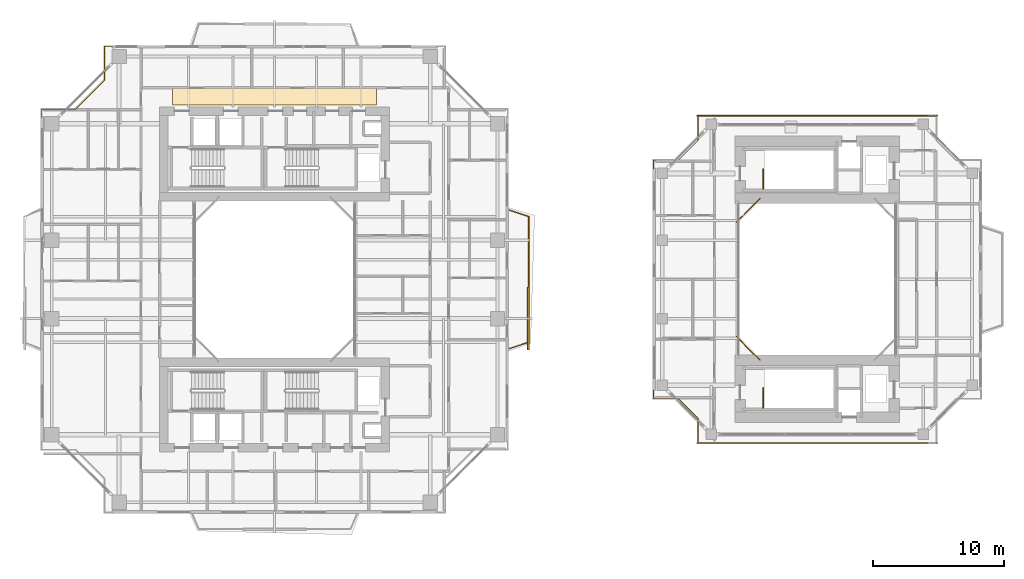
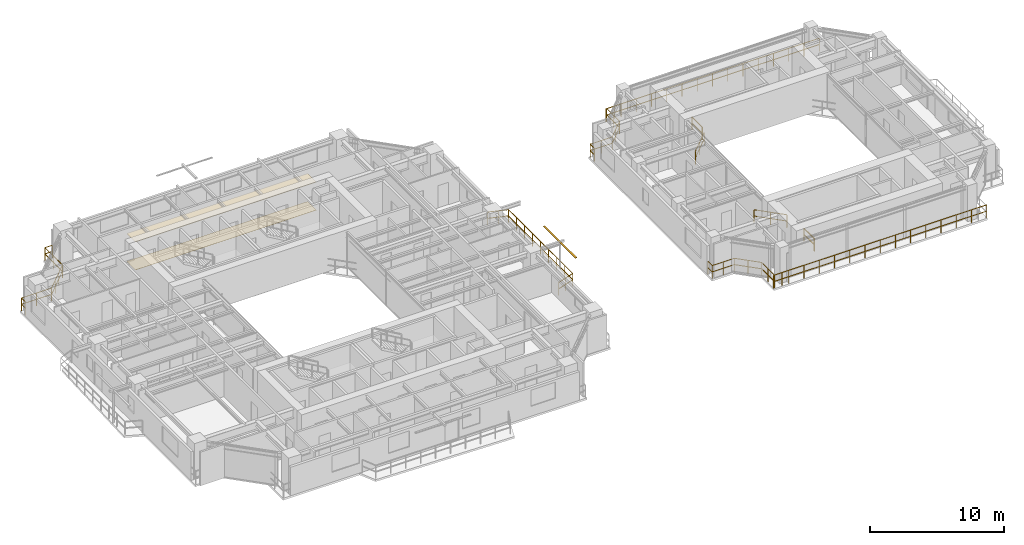
# One storey, part 23 of 24: 10 railings, 2 coverings, 1 shading device.
"""IFC4 building model written with IfcOpenShell, lengths in metres."""

import ifcopenshell
import ifcopenshell.guid

model = None  # the IFC model being written
_history = None  # IfcOwnerHistory: only IFC2X3 demands one
_inside = {}  # id of a spatial element -> (the spatial element, [elements in it])
_under = {}  # id of a project, library or spatial element -> (it, [spatial elements below it])
_declared = {}  # id of a project -> (the project, [libraries it declares])
_typed = {}  # id of a type object -> (the type object, [elements of that type])
_made_of = {}  # id of a material, layer set ... -> (it, [elements and type objects made of it])


def new_model(schema):
    """Start an empty IFC model of exactly this schema.

    Asked for "IFC4X3", IfcOpenShell would pick the latest addendum, in which some entities
    have other attributes; the version numbers below select the first issue.
    IFC2X3 requires an IfcOwnerHistory on every rooted entity: one is made here for all.
    """
    global model, _history
    if schema == "IFC4X3":
        model = ifcopenshell.file(schema_version=(4, 3, 0, 0))
    else:
        model = ifcopenshell.file(schema=schema)
    _inside.clear()
    _under.clear()
    _declared.clear()
    _typed.clear()
    _made_of.clear()
    _history = None
    if model.schema == "IFC2X3":
        org = make("IfcOrganization", Name="unknown")
        user = make(
            "IfcPersonAndOrganization",
            ThePerson=make("IfcPerson", FamilyName="unknown"),
            TheOrganization=org,
        )
        app = make(
            "IfcApplication",
            ApplicationDeveloper=org,
            Version="unknown",
            ApplicationFullName="unknown",
            ApplicationIdentifier="unknown",
        )
        _history = make(
            "IfcOwnerHistory",
            OwningUser=user,
            OwningApplication=app,
            ChangeAction="ADDED",
            CreationDate=0,
        )
    return model


def make(cls, **values):
    """One entity of the class cls with the attributes given. An attribute that is None is left unset."""
    return model.create_entity(
        cls, **{name: value for name, value in values.items() if value is not None}
    )


def rooted(cls, **values):
    """An entity with a GlobalId (a new one), such as an element, a storey or a relation."""
    return make(cls, GlobalId=ifcopenshell.guid.new(), OwnerHistory=_history, **values)


def si_unit(unit_type, name, prefix=None):
    """IfcSIUnit, for example si_unit("LENGTHUNIT", "METRE", prefix="MILLI")."""
    return make("IfcSIUnit", UnitType=unit_type, Prefix=prefix, Name=name)


def assignment(units):
    """IfcUnitAssignment: the units of a project."""
    return None if units is None else make("IfcUnitAssignment", Units=units)


def point(xyz):
    """IfcCartesianPoint."""
    return None if xyz is None else make("IfcCartesianPoint", Coordinates=xyz)


def direction(xyz):
    """IfcDirection."""
    return None if xyz is None else make("IfcDirection", DirectionRatios=xyz)


def frame(location, z_axis=None, x_axis=None):
    """IfcAxis2Placement3D, a coordinate frame: its origin and axes. An axis left out is left unset."""
    return make(
        "IfcAxis2Placement3D",
        Location=point(location),
        Axis=direction(z_axis),
        RefDirection=direction(x_axis),
    )


def frame_2d(location, x_axis=None):
    """IfcAxis2Placement2D, a coordinate frame in the plane: its origin and x axis."""
    return make(
        "IfcAxis2Placement2D", Location=point(location), RefDirection=direction(x_axis)
    )


def origin():
    """The frame at (0, 0, 0) with its axes left unset."""
    return frame((0.0, 0.0, 0.0))


def origin_2d():
    """The frame at (0, 0) in the plane with its x axis left unset."""
    return frame_2d((0.0, 0.0))


def place(relative_to, where):
    """IfcLocalPlacement: puts the frame where relative to a parent placement (None: the world)."""
    return make(
        "IfcLocalPlacement", PlacementRelTo=relative_to, RelativePlacement=where
    )


def context(
    kind, dimensions, precision=None, world=None, true_north=None, identifier=None
):
    """IfcGeometricRepresentationContext, for example the 3D "Model" context."""
    return make(
        "IfcGeometricRepresentationContext",
        ContextIdentifier=identifier,
        ContextType=kind,
        CoordinateSpaceDimension=dimensions,
        Precision=precision,
        WorldCoordinateSystem=world,
        TrueNorth=true_north,
    )


def subcontext(parent, identifier, kind, view, scale=None):
    """IfcGeometricRepresentationSubContext, for example "Body" below "Model"."""
    return make(
        "IfcGeometricRepresentationSubContext",
        ContextIdentifier=identifier,
        ContextType=kind,
        ParentContext=parent,
        TargetScale=scale,
        TargetView=view,
    )


def project(units=None, contexts=None):
    """IfcProject with its units and contexts."""
    return rooted(
        "IfcProject",
        Name="project",
        RepresentationContexts=contexts,
        UnitsInContext=assignment(units),
    )


def spatial(cls, under=None, at=None, **own):
    """A site, building, storey or space (cls), placed at a placement, below another one or the project."""
    s = rooted(cls, ObjectPlacement=at, **own)
    if under is not None:
        _under.setdefault(under.id(), (under, []))[1].append(s)
    return s


def polyline(points):
    """IfcPolyline through the points."""
    return make("IfcPolyline", Points=[point(p) for p in points])


def profile(cls, at=None, kind="AREA", **sizes):
    """A parametric profile (cls). Its sizes go by their IFC names, for example OverallWidth=200.0."""
    return make(cls, ProfileType=kind, Position=at, **sizes)


def rectangle(**sizes):
    """IfcRectangleProfileDef."""
    return profile("IfcRectangleProfileDef", **sizes)


def outline(outer, holes=None, kind="AREA"):
    """IfcArbitraryClosedProfileDef: a profile drawn as a closed curve; with holes, ...WithVoids."""
    if holes is None:
        return make("IfcArbitraryClosedProfileDef", ProfileType=kind, OuterCurve=outer)
    return make(
        "IfcArbitraryProfileDefWithVoids",
        ProfileType=kind,
        OuterCurve=outer,
        InnerCurves=holes,
    )


def extrude(swept, where, along, depth):
    """IfcExtrudedAreaSolid: the profile swept, set in the frame where, extruded along a direction by depth."""
    return make(
        "IfcExtrudedAreaSolid",
        SweptArea=swept,
        Position=where,
        ExtrudedDirection=direction(along),
        Depth=depth,
    )


def shape(context_of_items, identifier, shape_type, items):
    """IfcShapeRepresentation: the items that make up one representation, for example the "Body"."""
    return make(
        "IfcShapeRepresentation",
        ContextOfItems=context_of_items,
        RepresentationIdentifier=identifier,
        RepresentationType=shape_type,
        Items=items,
    )


def source(mapping_origin, context_of_items, identifier, shape_type, items):
    """IfcRepresentationMap: a shape defined once, which mapped items show again and again."""
    return make(
        "IfcRepresentationMap",
        MappingOrigin=mapping_origin,
        MappedRepresentation=shape(context_of_items, identifier, shape_type, items),
    )


def transform(
    local_origin,
    x_axis=None,
    y_axis=None,
    z_axis=None,
    scale=None,
    scale2=None,
    scale3=None,
    uniform=True,
):
    """IfcCartesianTransformationOperator3D, or its non-uniform kind. x_axis, y_axis, z_axis: its Axis1, 2, 3."""
    if uniform:
        return make(
            "IfcCartesianTransformationOperator3D",
            Axis1=direction(x_axis),
            Axis2=direction(y_axis),
            LocalOrigin=point(local_origin),
            Scale=scale,
            Axis3=direction(z_axis),
        )
    return make(
        "IfcCartesianTransformationOperator3DnonUniform",
        Axis1=direction(x_axis),
        Axis2=direction(y_axis),
        LocalOrigin=point(local_origin),
        Scale=scale,
        Axis3=direction(z_axis),
        Scale2=scale2,
        Scale3=scale3,
    )


def mapped(mapping_source, mapping_target):
    """IfcMappedItem: shows the shape of a source again, moved by a transform."""
    return make(
        "IfcMappedItem", MappingSource=mapping_source, MappingTarget=mapping_target
    )


def material(Name=None, Category=None):
    """IfcMaterial."""
    return make("IfcMaterial", Name=Name, Category=Category)


def layer(
    of_material, thickness, ventilated=None, Name=None, Category=None, Priority=None
):
    """IfcMaterialLayer: one layer of a wall or slab, of a material (None: an air gap)."""
    return make(
        "IfcMaterialLayer",
        Material=of_material,
        LayerThickness=thickness,
        IsVentilated=ventilated,
        Name=Name,
        Category=Category,
        Priority=Priority,
    )


def layer_set(layers, Name=None):
    """IfcMaterialLayerSet."""
    return make("IfcMaterialLayerSet", MaterialLayers=layers, LayerSetName=Name)


def material_profile(
    of_material, cross_section, Name=None, Category=None, Priority=None
):
    """IfcMaterialProfile: a cross section and its material."""
    return make(
        "IfcMaterialProfile",
        Name=Name,
        Material=of_material,
        Profile=cross_section,
        Priority=Priority,
        Category=Category,
    )


def profile_set(profiles, Name=None, composite=None):
    """IfcMaterialProfileSet."""
    return make(
        "IfcMaterialProfileSet",
        Name=Name,
        MaterialProfiles=profiles,
        CompositeProfile=composite,
    )


def made_of(thing, what):
    """Note that an element or type object is made of a material, layer set ...; save() writes the relation."""
    if what is not None:
        _made_of.setdefault(what.id(), (what, []))[1].append(thing)
    return thing


def type_object(cls, material=None, **own):
    """A type object (cls), such as IfcWallType, which elements share."""
    return made_of(rooted(cls, **own), material)


def element(
    cls,
    number,
    at=None,
    inside=None,
    cuts=None,
    type_object=None,
    material=None,
    context=None,
    identifier="Body",
    shape_type=None,
    held_by="IfcProductDefinitionShape",
    body=None,
    shapes=None,
    **own,
):
    """One element of the class cls, such as IfcWall. Its Tag is "e" and its number.

    at: its placement. inside: the storey or other place that contains it. cuts: it is an
    opening in that element (IfcRelVoidsElement). A single representation is given by context,
    identifier, shape_type and body (its items); several are given by shapes. held_by: the class
    of the entity that holds the representations. save() writes the other relations.
    """
    e = rooted(cls, Tag="e%d" % number, ObjectPlacement=at, **own)
    if body is not None:
        shapes = [shape(context, identifier, shape_type, body)]
    if shapes is not None:
        e.Representation = make(held_by, Representations=shapes)
    if inside is not None:
        _inside.setdefault(inside.id(), (inside, []))[1].append(e)
    if cuts is not None:
        rooted(
            "IfcRelVoidsElement", RelatingBuildingElement=cuts, RelatedOpeningElement=e
        )
    if type_object is not None:
        _typed.setdefault(type_object.id(), (type_object, []))[1].append(e)
    return made_of(e, material)


def aggregate(whole, parts):
    """IfcRelAggregates: a whole, such as a stair, and the parts it consists of."""
    return rooted("IfcRelAggregates", RelatingObject=whole, RelatedObjects=parts)


def save(model, path):
    """Write the relations noted so far, then the file.

    IfcRelAggregates (storeys below a building ...), IfcRelContainedInSpatialStructure (elements
    in a storey), IfcRelDefinesByType, IfcRelAssociatesMaterial and IfcRelDeclares: one each for
    every whole, place, type object, material and project.
    """
    for whole, parts in _under.values():
        aggregate(whole, parts)
    for where, things in _inside.values():
        rooted(
            "IfcRelContainedInSpatialStructure",
            RelatedElements=things,
            RelatingStructure=where,
        )
    for kind, things in _typed.values():
        rooted("IfcRelDefinesByType", RelatedObjects=things, RelatingType=kind)
    for what, things in _made_of.values():
        rooted("IfcRelAssociatesMaterial", RelatedObjects=things, RelatingMaterial=what)
    for by, libraries in _declared.values():
        rooted("IfcRelDeclares", RelatingContext=by, RelatedDefinitions=libraries)
    model.write(path)


model = new_model("IFC4")

# Units and contexts
model_context = context("Model", 3, precision=1e-05, world=origin(), true_north=direction((0.0, 1.0)))
body_context = subcontext(model_context, "Body", "Model", "MODEL_VIEW")
ifc_project = project(units=[si_unit("LENGTHUNIT", "METRE"), si_unit("AREAUNIT", "SQUARE_METRE"), si_unit("VOLUMEUNIT", "CUBIC_METRE"), si_unit("PLANEANGLEUNIT", "RADIAN"), si_unit("MASSUNIT", "GRAM", prefix="KILO"), si_unit("THERMODYNAMICTEMPERATUREUNIT", "KELVIN"), si_unit("POWERUNIT", "WATT")], contexts=[model_context])

# Site, building, storey
site_placement = place(None, origin())
site = spatial("IfcSite", under=ifc_project, at=site_placement, CompositionType="ELEMENT")
building_placement = place(site_placement, origin())
building = spatial("IfcBuilding", under=site, at=building_placement, Name="Qiaomeng Ring Towers", CompositionType="ELEMENT")
storey_placement = place(building_placement, frame((0.0, 0.0, 110.0)))
storey = spatial("IfcBuildingStorey", under=building, at=storey_placement, Name="L31", CompositionType="ELEMENT", Elevation=110.0)

# Coverings
ifc_material_1 = material(Name="Moisture-resistant gypsum ceiling board", Category="gypsum")
ifc_layer_1 = layer(ifc_material_1, 0.030029296875, Name="Moisture-resistant gypsum ceiling board")
ifc_layer_set_1 = layer_set([ifc_layer_1], Name="Moisture-resistant gypsum ceiling board")
covering_type_1 = type_object("IfcCoveringType", Name="ARC-COV-CEIL2", PredefinedType="CEILING", material=ifc_layer_set_1)
covering_1_placement = place(storey_placement, frame((0.0, 0.0, 2.550048828125)))
element("IfcCovering", 1, at=covering_1_placement, inside=storey, type_object=covering_type_1, Name="L31 Corridor Acoustic Ceiling", PredefinedType="CEILING", context=body_context, shape_type="SweptSolid", body=[
    extrude(outline(polyline([(11.199951171875, 36.35009765625), (11.199951171875, 37.64990234375), (26.800048828125, 37.64990234375), (26.800048828125, 36.35009765625), (11.199951171875, 36.35009765625)])), origin(), (0.0, 0.0, 1.0), 0.02490234375),
])
ifc_material_2 = material(Name="Vitrified porcelain floor tile", Category="ceramic")
ifc_layer_2 = layer(ifc_material_2, 0.02001953125, Name="Vitrified porcelain floor tile")
ifc_layer_set_2 = layer_set([ifc_layer_2], Name="Vitrified porcelain floor tile")
covering_type_2 = type_object("IfcCoveringType", Name="ARC-COV-FLR1", PredefinedType="FLOORING", material=ifc_layer_set_2)
covering_2_placement = place(storey_placement, origin())
element("IfcCovering", 2, at=covering_2_placement, inside=storey, type_object=covering_type_2, Name="L31 Corridor Stone Flooring", PredefinedType="FLOORING", context=body_context, shape_type="SweptSolid", body=[
    extrude(outline(polyline([(11.199951171875, 36.35009765625), (11.199951171875, 37.64990234375), (26.800048828125, 37.64990234375), (26.800048828125, 36.35009765625), (11.199951171875, 36.35009765625)])), origin(), (0.0, 0.0, 1.0), 0.02001953125),
])

# Railings
ifc_material_3 = material(Name="Low-E pale-green laminated safety glass", Category="glass")
railing_type_1 = type_object("IfcRailingType", Name="ARC-RL-BAL1", PredefinedType="BALUSTRADE", material=ifc_material_3)
railing_1_placement = place(storey_placement, frame((6.6298828125, 40.820068359375, 0.0)))
element("IfcRailing", 3, at=railing_1_placement, inside=storey, type_object=railing_type_1, Name="L31 Balustrade ARC-BAL-NOTCH1-L31-NW", PredefinedType="BALUSTRADE", context=body_context, shape_type="SweptSolid", body=[
    extrude(rectangle(XDim=0.048095703125, YDim=0.048095703125, at=origin_2d()), frame((0.0, 0.0, 1.17578125), z_axis=(-1.0, 0.0, 0.0), x_axis=(0.0, -1.0, 0.0)), (0.0, 0.0, 1.0), 0.64990234375),
    extrude(rectangle(XDim=0.048095703125, YDim=0.048095703125, at=origin_2d()), frame((0.0, 0.0, 0.60009765625), z_axis=(-1.0, 0.0, 0.0), x_axis=(0.0, -1.0, 0.0)), (0.0, 0.0, 1.0), 0.64990234375),
    extrude(rectangle(XDim=0.048095703125, YDim=0.048095703125, at=origin_2d()), frame((-0.64990234375, 0.0, 1.17578125), z_axis=(0.0, -1.0, 0.0), x_axis=(1.0, 0.0, 0.0)), (0.0, 0.0, 1.0), 2.60009765625),
    extrude(rectangle(XDim=0.048095703125, YDim=0.048095703125, at=origin_2d()), frame((-0.64990234375, 0.0, 0.60009765625), z_axis=(0.0, -1.0, 0.0), x_axis=(1.0, 0.0, 0.0)), (0.0, 0.0, 1.0), 2.60009765625),
    extrude(rectangle(XDim=0.048095703125, YDim=0.048095703125, at=origin_2d()), frame((-0.64990234375, -2.60009765625, 1.17578125), z_axis=(-0.707106781187, -0.707106781187, 0.0), x_axis=(0.707106781187, -0.707106781187, 0.0)), (0.0, 0.0, 1.0), 3.111083984375),
    extrude(rectangle(XDim=0.048095703125, YDim=0.048095703125, at=origin_2d()), frame((-0.64990234375, -2.60009765625, 0.60009765625), z_axis=(-0.707106781187, -0.707106781187, 0.0), x_axis=(0.707106781187, -0.707106781187, 0.0)), (0.0, 0.0, 1.0), 3.111083984375),
    extrude(rectangle(XDim=0.048095703125, YDim=0.048095703125, at=origin_2d()), frame((-2.849853515625, -4.800048828125, 1.17578125), z_axis=(-1.0, 0.0, 0.0), x_axis=(0.0, -1.0, 0.0)), (0.0, 0.0, 1.0), 2.60009765625),
    extrude(rectangle(XDim=0.048095703125, YDim=0.048095703125, at=origin_2d()), frame((-2.849853515625, -4.800048828125, 0.60009765625), z_axis=(-1.0, 0.0, 0.0), x_axis=(0.0, -1.0, 0.0)), (0.0, 0.0, 1.0), 2.60009765625),
    extrude(rectangle(XDim=0.048095703125, YDim=0.048095703125, at=origin_2d()), frame((-5.449951171875, -4.800048828125, 1.17578125), z_axis=(0.0, -1.0, 0.0), x_axis=(1.0, 0.0, 0.0)), (0.0, 0.0, 1.0), 0.64990234375),
    extrude(rectangle(XDim=0.048095703125, YDim=0.048095703125, at=origin_2d()), frame((-5.449951171875, -4.800048828125, 0.60009765625), z_axis=(0.0, -1.0, 0.0), x_axis=(1.0, 0.0, 0.0)), (0.0, 0.0, 1.0), 0.64990234375),
    extrude(rectangle(XDim=0.0419921875, YDim=0.0419921875, at=origin_2d()), origin(), (0.0, 0.0, 1.0), 1.15185546875),
    extrude(rectangle(XDim=0.0419921875, YDim=0.0419921875, at=origin_2d()), frame((-0.64990234375, 0.0, 0.0)), (0.0, 0.0, 1.0), 1.15185546875),
    extrude(rectangle(XDim=0.0419921875, YDim=0.0419921875, at=origin_2d()), frame((-0.64990234375, -1.300048828125, 0.0)), (0.0, 0.0, 1.0), 1.15185546875),
    extrude(rectangle(XDim=0.0419921875, YDim=0.0419921875, at=origin_2d()), frame((-0.64990234375, -2.60009765625, 0.0)), (0.0, 0.0, 1.0), 1.15185546875),
    extrude(rectangle(XDim=0.0419921875, YDim=0.0419921875, at=origin_2d()), frame((-1.38330078125, -3.33349609375, 0.0)), (0.0, 0.0, 1.0), 1.15185546875),
    extrude(rectangle(XDim=0.0419921875, YDim=0.0419921875, at=origin_2d()), frame((-2.116455078125, -4.066650390625, 0.0)), (0.0, 0.0, 1.0), 1.15185546875),
    extrude(rectangle(XDim=0.0419921875, YDim=0.0419921875, at=origin_2d()), frame((-2.849853515625, -4.800048828125, 0.0)), (0.0, 0.0, 1.0), 1.15185546875),
    extrude(rectangle(XDim=0.0419921875, YDim=0.0419921875, at=origin_2d()), frame((-4.14990234375, -4.800048828125, 0.0)), (0.0, 0.0, 1.0), 1.15185546875),
    extrude(rectangle(XDim=0.0419921875, YDim=0.0419921875, at=origin_2d()), frame((-5.449951171875, -4.800048828125, 0.0)), (0.0, 0.0, 1.0), 1.15185546875),
    extrude(rectangle(XDim=0.0419921875, YDim=0.0419921875, at=origin_2d()), frame((-5.449951171875, -5.449951171875, 0.0)), (0.0, 0.0, 1.0), 1.15185546875),
])
railing_2_placement = place(storey_placement, frame((36.949951171875, 17.699951171875, 0.0)))
element("IfcRailing", 4, at=railing_2_placement, inside=storey, type_object=railing_type_1, Name="L31 Balustrade ARC-BAL-L31-T1-E", PredefinedType="BALUSTRADE", context=body_context, shape_type="SweptSolid", body=[
    extrude(rectangle(XDim=0.048095703125, YDim=0.048095703125, at=origin_2d()), frame((0.0, 0.0, 1.17578125), z_axis=(0.948044476945, 0.318137815629, 0.0), x_axis=(-0.318137815629, 0.948044476945, 0.0)), (0.0, 0.0, 1.0), 1.571533203125),
    extrude(rectangle(XDim=0.048095703125, YDim=0.048095703125, at=origin_2d()), frame((0.0, 0.0, 0.60009765625), z_axis=(0.948044476945, 0.318137815629, 0.0), x_axis=(-0.318137815629, 0.948044476945, 0.0)), (0.0, 0.0, 1.0), 1.571533203125),
    extrude(rectangle(XDim=0.048095703125, YDim=0.048095703125, at=origin_2d()), frame((1.489990234375, 0.5, 1.17578125), z_axis=(0.0, 1.0, 0.0), x_axis=(-1.0, 0.0, 0.0)), (0.0, 0.0, 1.0), 9.60009765625),
    extrude(rectangle(XDim=0.048095703125, YDim=0.048095703125, at=origin_2d()), frame((1.489990234375, 0.5, 0.60009765625), z_axis=(0.0, 1.0, 0.0), x_axis=(-1.0, 0.0, 0.0)), (0.0, 0.0, 1.0), 9.60009765625),
    extrude(rectangle(XDim=0.048095703125, YDim=0.048095703125, at=origin_2d()), frame((1.489990234375, 10.10009765625, 1.17578125), z_axis=(-0.948044476945, 0.318137815629, 0.0), x_axis=(-0.318137815629, -0.948044476945, 0.0)), (0.0, 0.0, 1.0), 1.571533203125),
    extrude(rectangle(XDim=0.048095703125, YDim=0.048095703125, at=origin_2d()), frame((1.489990234375, 10.10009765625, 0.60009765625), z_axis=(-0.948044476945, 0.318137815629, 0.0), x_axis=(-0.318137815629, -0.948044476945, 0.0)), (0.0, 0.0, 1.0), 1.571533203125),
    extrude(rectangle(XDim=0.0419921875, YDim=0.0419921875, at=origin_2d()), origin(), (0.0, 0.0, 1.0), 1.15185546875),
    extrude(rectangle(XDim=0.0419921875, YDim=0.0419921875, at=origin_2d()), frame((0.7451171875, 0.25, 0.0)), (0.0, 0.0, 1.0), 1.15185546875),
    extrude(rectangle(XDim=0.0419921875, YDim=0.0419921875, at=origin_2d()), frame((1.489990234375, 0.5, 0.0)), (0.0, 0.0, 1.0), 1.15185546875),
    extrude(rectangle(XDim=0.0419921875, YDim=0.0419921875, at=origin_2d()), frame((1.489990234375, 1.699951171875, 0.0)), (0.0, 0.0, 1.0), 1.15185546875),
    extrude(rectangle(XDim=0.0419921875, YDim=0.0419921875, at=origin_2d()), frame((1.489990234375, 2.89990234375, 0.0)), (0.0, 0.0, 1.0), 1.15185546875),
    extrude(rectangle(XDim=0.0419921875, YDim=0.0419921875, at=origin_2d()), frame((1.489990234375, 4.10009765625, 0.0)), (0.0, 0.0, 1.0), 1.15185546875),
    extrude(rectangle(XDim=0.0419921875, YDim=0.0419921875, at=origin_2d()), frame((1.489990234375, 5.300048828125, 0.0)), (0.0, 0.0, 1.0), 1.15185546875),
    extrude(rectangle(XDim=0.0419921875, YDim=0.0419921875, at=origin_2d()), frame((1.489990234375, 6.5, 0.0)), (0.0, 0.0, 1.0), 1.15185546875),
    extrude(rectangle(XDim=0.0419921875, YDim=0.0419921875, at=origin_2d()), frame((1.489990234375, 7.7001953125, 0.0)), (0.0, 0.0, 1.0), 1.15185546875),
    extrude(rectangle(XDim=0.0419921875, YDim=0.0419921875, at=origin_2d()), frame((1.489990234375, 8.900146484375, 0.0)), (0.0, 0.0, 1.0), 1.15185546875),
    extrude(rectangle(XDim=0.0419921875, YDim=0.0419921875, at=origin_2d()), frame((1.489990234375, 10.10009765625, 0.0)), (0.0, 0.0, 1.0), 1.15185546875),
    extrude(rectangle(XDim=0.0419921875, YDim=0.0419921875, at=origin_2d()), frame((0.7451171875, 10.35009765625, 0.0)), (0.0, 0.0, 1.0), 1.15185546875),
    extrude(rectangle(XDim=0.0419921875, YDim=0.0419921875, at=origin_2d()), frame((0.0, 10.60009765625, 0.0)), (0.0, 0.0, 1.0), 1.15185546875),
])
railing_3_placement = place(storey_placement, frame((56.1201171875, 29.179931640625, 0.0)))
element("IfcRailing", 5, at=railing_3_placement, inside=storey, type_object=railing_type_1, Name="L31 Balustrade ARC-BAL-WELL2-L31-3", PredefinedType="BALUSTRADE", context=body_context, shape_type="SweptSolid", body=[
    extrude(rectangle(XDim=0.048095703125, YDim=0.048095703125, at=origin_2d()), frame((0.0, 0.0, 1.17578125), z_axis=(-0.707106781187, -0.707106781187, 0.0), x_axis=(0.707106781187, -0.707106781187, 0.0)), (0.0, 0.0, 1.0), 2.545654296875),
    extrude(rectangle(XDim=0.048095703125, YDim=0.048095703125, at=origin_2d()), frame((0.0, 0.0, 0.60009765625), z_axis=(-0.707106781187, -0.707106781187, 0.0), x_axis=(0.707106781187, -0.707106781187, 0.0)), (0.0, 0.0, 1.0), 2.545654296875),
    extrude(rectangle(XDim=0.0419921875, YDim=0.0419921875, at=origin_2d()), origin(), (0.0, 0.0, 1.0), 1.15185546875),
    extrude(rectangle(XDim=0.0419921875, YDim=0.0419921875, at=origin_2d()), frame((-0.89990234375, -0.89990234375, 0.0)), (0.0, 0.0, 1.0), 1.15185546875),
    extrude(rectangle(XDim=0.0419921875, YDim=0.0419921875, at=origin_2d()), frame((-1.800048828125, -1.800048828125, 0.0)), (0.0, 0.0, 1.0), 1.15185546875),
])
railing_4_placement = place(storey_placement, frame((54.320068359375, 18.6201171875, 0.0)))
element("IfcRailing", 6, at=railing_4_placement, inside=storey, type_object=railing_type_1, Name="L31 Balustrade ARC-BAL-WELL2-L31-4", PredefinedType="BALUSTRADE", context=body_context, shape_type="SweptSolid", body=[
    extrude(rectangle(XDim=0.048095703125, YDim=0.048095703125, at=origin_2d()), frame((0.0, 0.0, 1.17578125), z_axis=(0.707106781187, -0.707106781187, 0.0), x_axis=(0.707106781187, 0.707106781187, 0.0)), (0.0, 0.0, 1.0), 2.545654296875),
    extrude(rectangle(XDim=0.048095703125, YDim=0.048095703125, at=origin_2d()), frame((0.0, 0.0, 0.60009765625), z_axis=(0.707106781187, -0.707106781187, 0.0), x_axis=(0.707106781187, 0.707106781187, 0.0)), (0.0, 0.0, 1.0), 2.545654296875),
    extrude(rectangle(XDim=0.0419921875, YDim=0.0419921875, at=origin_2d()), origin(), (0.0, 0.0, 1.0), 1.15185546875),
    extrude(rectangle(XDim=0.0419921875, YDim=0.0419921875, at=origin_2d()), frame((0.89990234375, -0.89990234375, 0.0)), (0.0, 0.0, 1.0), 1.15185546875),
    extrude(rectangle(XDim=0.0419921875, YDim=0.0419921875, at=origin_2d()), frame((1.800048828125, -1.800048828125, 0.0)), (0.0, 0.0, 1.0), 1.15185546875),
])
railing_5_placement = place(storey_placement, frame((52.030029296875, 35.52001953125, 0.0)))
element("IfcRailing", 7, at=railing_5_placement, inside=storey, type_object=railing_type_1, Name="L31 Balustrade ARC-BAL-NOTCH2-L31-NW", PredefinedType="BALUSTRADE", context=body_context, shape_type="SweptSolid", body=[
    extrude(rectangle(XDim=0.048095703125, YDim=0.048095703125, at=origin_2d()), frame((0.0, 0.0, 1.17578125), z_axis=(-1.0, 0.0, 0.0), x_axis=(0.0, -1.0, 0.0)), (0.0, 0.0, 1.0), 0.650146484375),
    extrude(rectangle(XDim=0.048095703125, YDim=0.048095703125, at=origin_2d()), frame((0.0, 0.0, 0.60009765625), z_axis=(-1.0, 0.0, 0.0), x_axis=(0.0, -1.0, 0.0)), (0.0, 0.0, 1.0), 0.650146484375),
    extrude(rectangle(XDim=0.048095703125, YDim=0.048095703125, at=origin_2d()), frame((-0.650146484375, 0.0, 1.17578125), z_axis=(0.0, -1.0, 0.0), x_axis=(1.0, 0.0, 0.0)), (0.0, 0.0, 1.0), 1.89990234375),
    extrude(rectangle(XDim=0.048095703125, YDim=0.048095703125, at=origin_2d()), frame((-0.650146484375, 0.0, 0.60009765625), z_axis=(0.0, -1.0, 0.0), x_axis=(1.0, 0.0, 0.0)), (0.0, 0.0, 1.0), 1.89990234375),
    extrude(rectangle(XDim=0.048095703125, YDim=0.048095703125, at=origin_2d()), frame((-0.650146484375, -1.89990234375, 1.17578125), z_axis=(-0.707106781187, -0.707106781187, 0.0), x_axis=(0.707106781187, -0.707106781187, 0.0)), (0.0, 0.0, 1.0), 2.121337890625),
    extrude(rectangle(XDim=0.048095703125, YDim=0.048095703125, at=origin_2d()), frame((-0.650146484375, -1.89990234375, 0.60009765625), z_axis=(-0.707106781187, -0.707106781187, 0.0), x_axis=(0.707106781187, -0.707106781187, 0.0)), (0.0, 0.0, 1.0), 2.121337890625),
    extrude(rectangle(XDim=0.048095703125, YDim=0.048095703125, at=origin_2d()), frame((-2.150146484375, -3.39990234375, 1.17578125), z_axis=(-1.0, 0.0, 0.0), x_axis=(0.0, -1.0, 0.0)), (0.0, 0.0, 1.0), 1.89990234375),
    extrude(rectangle(XDim=0.048095703125, YDim=0.048095703125, at=origin_2d()), frame((-2.150146484375, -3.39990234375, 0.60009765625), z_axis=(-1.0, 0.0, 0.0), x_axis=(0.0, -1.0, 0.0)), (0.0, 0.0, 1.0), 1.89990234375),
    extrude(rectangle(XDim=0.048095703125, YDim=0.048095703125, at=origin_2d()), frame((-4.050048828125, -3.39990234375, 1.17578125), z_axis=(0.0, -1.0, 0.0), x_axis=(1.0, 0.0, 0.0)), (0.0, 0.0, 1.0), 0.650146484375),
    extrude(rectangle(XDim=0.048095703125, YDim=0.048095703125, at=origin_2d()), frame((-4.050048828125, -3.39990234375, 0.60009765625), z_axis=(0.0, -1.0, 0.0), x_axis=(1.0, 0.0, 0.0)), (0.0, 0.0, 1.0), 0.650146484375),
    extrude(rectangle(XDim=0.0419921875, YDim=0.0419921875, at=origin_2d()), origin(), (0.0, 0.0, 1.0), 1.15185546875),
    extrude(rectangle(XDim=0.0419921875, YDim=0.0419921875, at=origin_2d()), frame((-0.650146484375, 0.0, 0.0)), (0.0, 0.0, 1.0), 1.15185546875),
    extrude(rectangle(XDim=0.0419921875, YDim=0.0419921875, at=origin_2d()), frame((-0.650146484375, -0.949951171875, 0.0)), (0.0, 0.0, 1.0), 1.15185546875),
    extrude(rectangle(XDim=0.0419921875, YDim=0.0419921875, at=origin_2d()), frame((-0.650146484375, -1.89990234375, 0.0)), (0.0, 0.0, 1.0), 1.15185546875),
    extrude(rectangle(XDim=0.0419921875, YDim=0.0419921875, at=origin_2d()), frame((-1.400146484375, -2.64990234375, 0.0)), (0.0, 0.0, 1.0), 1.15185546875),
    extrude(rectangle(XDim=0.0419921875, YDim=0.0419921875, at=origin_2d()), frame((-2.150146484375, -3.39990234375, 0.0)), (0.0, 0.0, 1.0), 1.15185546875),
    extrude(rectangle(XDim=0.0419921875, YDim=0.0419921875, at=origin_2d()), frame((-3.10009765625, -3.39990234375, 0.0)), (0.0, 0.0, 1.0), 1.15185546875),
    extrude(rectangle(XDim=0.0419921875, YDim=0.0419921875, at=origin_2d()), frame((-4.050048828125, -3.39990234375, 0.0)), (0.0, 0.0, 1.0), 1.15185546875),
    extrude(rectangle(XDim=0.0419921875, YDim=0.0419921875, at=origin_2d()), frame((-4.050048828125, -4.050048828125, 0.0)), (0.0, 0.0, 1.0), 1.15185546875),
])
railing_6_placement = place(storey_placement, frame((47.97998046875, 14.530029296875, 0.0)))
element("IfcRailing", 8, at=railing_6_placement, inside=storey, type_object=railing_type_1, Name="L31 Balustrade ARC-BAL-NOTCH2-L31-SW", PredefinedType="BALUSTRADE", context=body_context, shape_type="SweptSolid", body=[
    extrude(rectangle(XDim=0.048095703125, YDim=0.048095703125, at=origin_2d()), frame((0.0, 0.0, 1.17578125), z_axis=(0.0, -1.0, 0.0), x_axis=(1.0, 0.0, 0.0)), (0.0, 0.0, 1.0), 0.650146484375),
    extrude(rectangle(XDim=0.048095703125, YDim=0.048095703125, at=origin_2d()), frame((0.0, 0.0, 0.60009765625), z_axis=(0.0, -1.0, 0.0), x_axis=(1.0, 0.0, 0.0)), (0.0, 0.0, 1.0), 0.650146484375),
    extrude(rectangle(XDim=0.048095703125, YDim=0.048095703125, at=origin_2d()), frame((0.0, -0.650146484375, 1.17578125), z_axis=(1.0, 0.0, 0.0), x_axis=(0.0, 1.0, 0.0)), (0.0, 0.0, 1.0), 1.89990234375),
    extrude(rectangle(XDim=0.048095703125, YDim=0.048095703125, at=origin_2d()), frame((0.0, -0.650146484375, 0.60009765625), z_axis=(1.0, 0.0, 0.0), x_axis=(0.0, 1.0, 0.0)), (0.0, 0.0, 1.0), 1.89990234375),
    extrude(rectangle(XDim=0.048095703125, YDim=0.048095703125, at=origin_2d()), frame((1.89990234375, -0.650146484375, 1.17578125), z_axis=(0.707106781187, -0.707106781187, 0.0), x_axis=(0.707106781187, 0.707106781187, 0.0)), (0.0, 0.0, 1.0), 2.121337890625),
    extrude(rectangle(XDim=0.048095703125, YDim=0.048095703125, at=origin_2d()), frame((1.89990234375, -0.650146484375, 0.60009765625), z_axis=(0.707106781187, -0.707106781187, 0.0), x_axis=(0.707106781187, 0.707106781187, 0.0)), (0.0, 0.0, 1.0), 2.121337890625),
    extrude(rectangle(XDim=0.048095703125, YDim=0.048095703125, at=origin_2d()), frame((3.39990234375, -2.150146484375, 1.17578125), z_axis=(0.0, -1.0, 0.0), x_axis=(1.0, 0.0, 0.0)), (0.0, 0.0, 1.0), 1.89990234375),
    extrude(rectangle(XDim=0.048095703125, YDim=0.048095703125, at=origin_2d()), frame((3.39990234375, -2.150146484375, 0.60009765625), z_axis=(0.0, -1.0, 0.0), x_axis=(1.0, 0.0, 0.0)), (0.0, 0.0, 1.0), 1.89990234375),
    extrude(rectangle(XDim=0.048095703125, YDim=0.048095703125, at=origin_2d()), frame((3.39990234375, -4.050048828125, 1.17578125), z_axis=(1.0, 0.0, 0.0), x_axis=(0.0, 1.0, 0.0)), (0.0, 0.0, 1.0), 0.650146484375),
    extrude(rectangle(XDim=0.048095703125, YDim=0.048095703125, at=origin_2d()), frame((3.39990234375, -4.050048828125, 0.60009765625), z_axis=(1.0, 0.0, 0.0), x_axis=(0.0, 1.0, 0.0)), (0.0, 0.0, 1.0), 0.650146484375),
    extrude(rectangle(XDim=0.0419921875, YDim=0.0419921875, at=origin_2d()), origin(), (0.0, 0.0, 1.0), 1.15185546875),
    extrude(rectangle(XDim=0.0419921875, YDim=0.0419921875, at=origin_2d()), frame((0.0, -0.650146484375, 0.0)), (0.0, 0.0, 1.0), 1.15185546875),
    extrude(rectangle(XDim=0.0419921875, YDim=0.0419921875, at=origin_2d()), frame((0.949951171875, -0.650146484375, 0.0)), (0.0, 0.0, 1.0), 1.15185546875),
    extrude(rectangle(XDim=0.0419921875, YDim=0.0419921875, at=origin_2d()), frame((1.89990234375, -0.650146484375, 0.0)), (0.0, 0.0, 1.0), 1.15185546875),
    extrude(rectangle(XDim=0.0419921875, YDim=0.0419921875, at=origin_2d()), frame((2.64990234375, -1.400146484375, 0.0)), (0.0, 0.0, 1.0), 1.15185546875),
    extrude(rectangle(XDim=0.0419921875, YDim=0.0419921875, at=origin_2d()), frame((3.39990234375, -2.150146484375, 0.0)), (0.0, 0.0, 1.0), 1.15185546875),
    extrude(rectangle(XDim=0.0419921875, YDim=0.0419921875, at=origin_2d()), frame((3.39990234375, -3.10009765625, 0.0)), (0.0, 0.0, 1.0), 1.15185546875),
    extrude(rectangle(XDim=0.0419921875, YDim=0.0419921875, at=origin_2d()), frame((3.39990234375, -4.050048828125, 0.0)), (0.0, 0.0, 1.0), 1.15185546875),
    extrude(rectangle(XDim=0.0419921875, YDim=0.0419921875, at=origin_2d()), frame((4.050048828125, -4.050048828125, 0.0)), (0.0, 0.0, 1.0), 1.15185546875),
])
railing_7_placement = place(storey_placement, frame((51.300048828125, 35.52001953125, 0.0)))
element("IfcRailing", 9, at=railing_7_placement, inside=storey, type_object=railing_type_1, Name="L31 Balustrade ARC-BAL-T2N-L31", PredefinedType="BALUSTRADE", context=body_context, shape_type="SweptSolid", body=[
    extrude(rectangle(XDim=0.048095703125, YDim=0.048095703125, at=origin_2d()), frame((0.0, 0.0, 1.17578125), z_axis=(1.0, 0.0, 0.0), x_axis=(0.0, 1.0, 0.0)), (0.0, 0.0, 1.0), 18.39990234375),
    extrude(rectangle(XDim=0.048095703125, YDim=0.048095703125, at=origin_2d()), frame((0.0, 0.0, 0.60009765625), z_axis=(1.0, 0.0, 0.0), x_axis=(0.0, 1.0, 0.0)), (0.0, 0.0, 1.0), 18.39990234375),
    extrude(rectangle(XDim=0.0419921875, YDim=0.0419921875, at=origin_2d()), origin(), (0.0, 0.0, 1.0), 1.15185546875),
    extrude(rectangle(XDim=0.0419921875, YDim=0.0419921875, at=origin_2d()), frame((1.314208984375, 0.0, 0.0)), (0.0, 0.0, 1.0), 1.15185546875),
    extrude(rectangle(XDim=0.0419921875, YDim=0.0419921875, at=origin_2d()), frame((2.628662109375, 0.0, 0.0)), (0.0, 0.0, 1.0), 1.15185546875),
    extrude(rectangle(XDim=0.0419921875, YDim=0.0419921875, at=origin_2d()), frame((3.94287109375, 0.0, 0.0)), (0.0, 0.0, 1.0), 1.15185546875),
    extrude(rectangle(XDim=0.0419921875, YDim=0.0419921875, at=origin_2d()), frame((5.257080078125, 0.0, 0.0)), (0.0, 0.0, 1.0), 1.15185546875),
    extrude(rectangle(XDim=0.0419921875, YDim=0.0419921875, at=origin_2d()), frame((6.5712890625, 0.0, 0.0)), (0.0, 0.0, 1.0), 1.15185546875),
    extrude(rectangle(XDim=0.0419921875, YDim=0.0419921875, at=origin_2d()), frame((7.8857421875, 0.0, 0.0)), (0.0, 0.0, 1.0), 1.15185546875),
    extrude(rectangle(XDim=0.0419921875, YDim=0.0419921875, at=origin_2d()), frame((9.199951171875, 0.0, 0.0)), (0.0, 0.0, 1.0), 1.15185546875),
    extrude(rectangle(XDim=0.0419921875, YDim=0.0419921875, at=origin_2d()), frame((10.51416015625, 0.0, 0.0)), (0.0, 0.0, 1.0), 1.15185546875),
    extrude(rectangle(XDim=0.0419921875, YDim=0.0419921875, at=origin_2d()), frame((11.82861328125, 0.0, 0.0)), (0.0, 0.0, 1.0), 1.15185546875),
    extrude(rectangle(XDim=0.0419921875, YDim=0.0419921875, at=origin_2d()), frame((13.142822265625, 0.0, 0.0)), (0.0, 0.0, 1.0), 1.15185546875),
    extrude(rectangle(XDim=0.0419921875, YDim=0.0419921875, at=origin_2d()), frame((14.45703125, 0.0, 0.0)), (0.0, 0.0, 1.0), 1.15185546875),
    extrude(rectangle(XDim=0.0419921875, YDim=0.0419921875, at=origin_2d()), frame((15.771240234375, 0.0, 0.0)), (0.0, 0.0, 1.0), 1.15185546875),
    extrude(rectangle(XDim=0.0419921875, YDim=0.0419921875, at=origin_2d()), frame((17.085693359375, 0.0, 0.0)), (0.0, 0.0, 1.0), 1.15185546875),
    extrude(rectangle(XDim=0.0419921875, YDim=0.0419921875, at=origin_2d()), frame((18.39990234375, 0.0, 0.0)), (0.0, 0.0, 1.0), 1.15185546875),
])
railing_8_placement = place(storey_placement, frame((51.300048828125, 10.47998046875, 0.0)))
element("IfcRailing", 10, at=railing_8_placement, inside=storey, type_object=railing_type_1, Name="L31 Balustrade ARC-BAL-T2S-L31", PredefinedType="BALUSTRADE", context=body_context, shape_type="SweptSolid", body=[
    extrude(rectangle(XDim=0.048095703125, YDim=0.048095703125, at=origin_2d()), frame((0.0, 0.0, 1.17578125), z_axis=(1.0, 0.0, 0.0), x_axis=(0.0, 1.0, 0.0)), (0.0, 0.0, 1.0), 18.39990234375),
    extrude(rectangle(XDim=0.048095703125, YDim=0.048095703125, at=origin_2d()), frame((0.0, 0.0, 0.60009765625), z_axis=(1.0, 0.0, 0.0), x_axis=(0.0, 1.0, 0.0)), (0.0, 0.0, 1.0), 18.39990234375),
    extrude(rectangle(XDim=0.0419921875, YDim=0.0419921875, at=origin_2d()), origin(), (0.0, 0.0, 1.0), 1.15185546875),
    extrude(rectangle(XDim=0.0419921875, YDim=0.0419921875, at=origin_2d()), frame((1.314208984375, 0.0, 0.0)), (0.0, 0.0, 1.0), 1.15185546875),
    extrude(rectangle(XDim=0.0419921875, YDim=0.0419921875, at=origin_2d()), frame((2.628662109375, 0.0, 0.0)), (0.0, 0.0, 1.0), 1.15185546875),
    extrude(rectangle(XDim=0.0419921875, YDim=0.0419921875, at=origin_2d()), frame((3.94287109375, 0.0, 0.0)), (0.0, 0.0, 1.0), 1.15185546875),
    extrude(rectangle(XDim=0.0419921875, YDim=0.0419921875, at=origin_2d()), frame((5.257080078125, 0.0, 0.0)), (0.0, 0.0, 1.0), 1.15185546875),
    extrude(rectangle(XDim=0.0419921875, YDim=0.0419921875, at=origin_2d()), frame((6.5712890625, 0.0, 0.0)), (0.0, 0.0, 1.0), 1.15185546875),
    extrude(rectangle(XDim=0.0419921875, YDim=0.0419921875, at=origin_2d()), frame((7.8857421875, 0.0, 0.0)), (0.0, 0.0, 1.0), 1.15185546875),
    extrude(rectangle(XDim=0.0419921875, YDim=0.0419921875, at=origin_2d()), frame((9.199951171875, 0.0, 0.0)), (0.0, 0.0, 1.0), 1.15185546875),
    extrude(rectangle(XDim=0.0419921875, YDim=0.0419921875, at=origin_2d()), frame((10.51416015625, 0.0, 0.0)), (0.0, 0.0, 1.0), 1.15185546875),
    extrude(rectangle(XDim=0.0419921875, YDim=0.0419921875, at=origin_2d()), frame((11.82861328125, 0.0, 0.0)), (0.0, 0.0, 1.0), 1.15185546875),
    extrude(rectangle(XDim=0.0419921875, YDim=0.0419921875, at=origin_2d()), frame((13.142822265625, 0.0, 0.0)), (0.0, 0.0, 1.0), 1.15185546875),
    extrude(rectangle(XDim=0.0419921875, YDim=0.0419921875, at=origin_2d()), frame((14.45703125, 0.0, 0.0)), (0.0, 0.0, 1.0), 1.15185546875),
    extrude(rectangle(XDim=0.0419921875, YDim=0.0419921875, at=origin_2d()), frame((15.771240234375, 0.0, 0.0)), (0.0, 0.0, 1.0), 1.15185546875),
    extrude(rectangle(XDim=0.0419921875, YDim=0.0419921875, at=origin_2d()), frame((17.085693359375, 0.0, 0.0)), (0.0, 0.0, 1.0), 1.15185546875),
    extrude(rectangle(XDim=0.0419921875, YDim=0.0419921875, at=origin_2d()), frame((18.39990234375, 0.0, 0.0)), (0.0, 0.0, 1.0), 1.15185546875),
])
ifc_material_4 = material(Name="Galvanised steel", Category="steel")
railing_type_2 = type_object("IfcRailingType", Name="ARC-RL-GUARD", PredefinedType="GUARDRAIL", material=ifc_material_4)
for number, where, name in (
    (11, (56.3701171875, 29.89990234375, 0.0), "L31 ST5 top well guard 1"),
    (12, (56.3701171875, 13.159912109375, 0.0), "L31 ST6 top well guard 1"),
):
    element("IfcRailing", number, at=place(storey_placement, frame(where)), inside=storey, type_object=railing_type_2, Name=name, PredefinedType="GUARDRAIL", context=body_context, shape_type="SweptSolid", body=[
        extrude(rectangle(XDim=0.048095703125, YDim=0.048095703125, at=origin_2d()), frame((0.0, 0.0, 1.1259765625), z_axis=(0.0, 1.0, 0.0), x_axis=(-1.0, 0.0, 0.0)), (0.0, 0.0, 1.0), 1.5400390625),
        extrude(rectangle(XDim=0.048095703125, YDim=0.048095703125, at=origin_2d()), frame((0.0, 0.0, 0.574951171875), z_axis=(0.0, 1.0, 0.0), x_axis=(-1.0, 0.0, 0.0)), (0.0, 0.0, 1.0), 1.5400390625),
        extrude(rectangle(XDim=0.0419921875, YDim=0.0419921875, at=origin_2d()), origin(), (0.0, 0.0, 1.0), 1.101806640625),
        extrude(rectangle(XDim=0.0419921875, YDim=0.0419921875, at=origin_2d()), frame((0.0, 1.5400390625, 0.0)), (0.0, 0.0, 1.0), 1.101806640625),
    ])

# Shading device
ifc_material_5 = material(Name="Fluorocarbon dark-grey aluminium", Category="aluminium")
ifc_material_profile = material_profile(ifc_material_5, rectangle(XDim=0.14990234375, YDim=0.034912109375, at=origin_2d()), Name="LV BLADE 150x35")
ifc_profile_set = profile_set([ifc_material_profile], Name="Fluorocarbon dark-grey aluminium")
shading_device_type = type_object("IfcShadingDeviceType", Name="ARC-SHD-SUN", PredefinedType="AWNING", material=ifc_profile_set)
shared_shape = source(origin(), body_context, "Body", "SweptSolid", [
    extrude(rectangle(XDim=0.14990234375, YDim=0.034912109375, at=origin_2d()), origin(), (0.0, 0.0, 1.0), 4.7998046875),
])
shading_device_placement = place(storey_placement, frame((38.389892578125, 17.60009765625, 2.969970703125), z_axis=(0.0, 1.0, 0.0), x_axis=(-1.0, 0.0, 0.0)))
element("IfcShadingDevice", 13, at=shading_device_placement, inside=storey, type_object=shading_device_type, Name="L31 Ventilated Outer-Skin Sunshade E", PredefinedType="AWNING", context=body_context, shape_type="MappedRepresentation", body=[
    mapped(shared_shape, transform((0.0, 0.0, 0.0), x_axis=(1.0, 0.0, 0.0), y_axis=(0.0, 1.0, 0.0), z_axis=(0.0, 0.0, 1.0), scale=1.0)),
])

save(model, "model.ifc")
